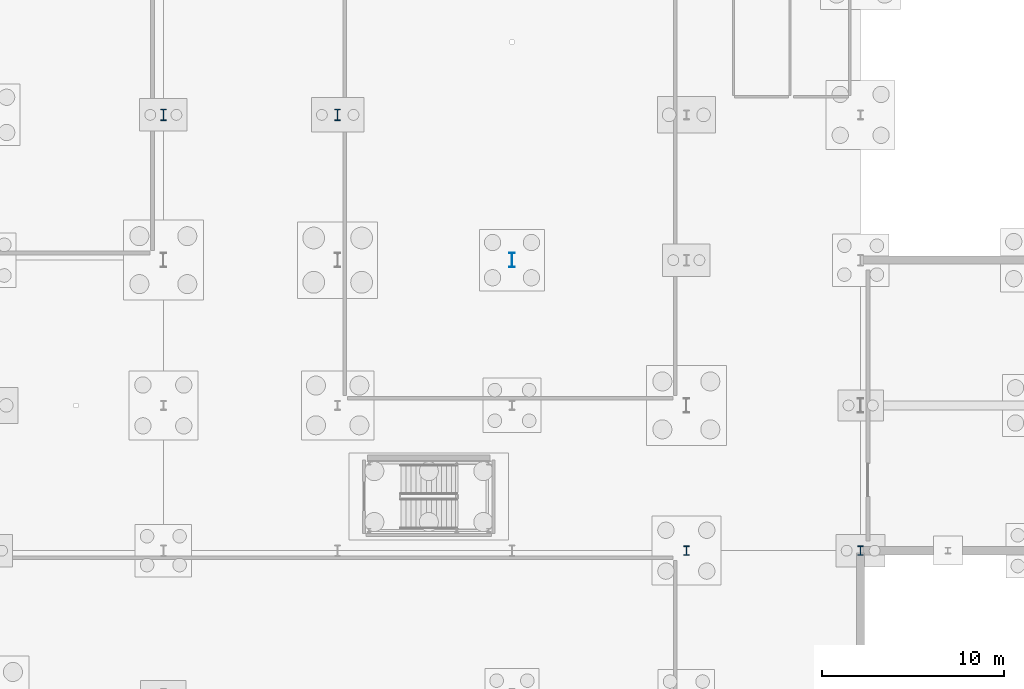
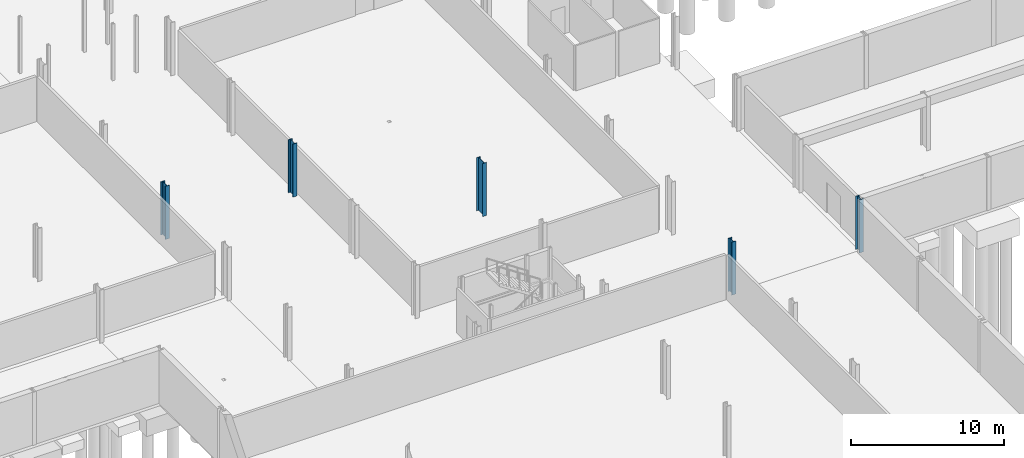
# One storey, part 14 of 47: 5 columns.
"""IFC4 building model written with IfcOpenShell, lengths in metres."""

from ifc_helpers import new_model, si_unit, direction, frame, origin, origin_2d, place, context, subcontext, project, spatial, i_section, extrude, material, material_profile, profile_set, type_object, element, save


model = new_model("IFC4")

# Units and contexts
model_context = context("Model", 3, precision=1e-05, world=origin(), true_north=direction((0.0, 1.0)))
body_context = subcontext(model_context, "Body", "Model", "MODEL_VIEW")
ifc_project = project(units=[si_unit("LENGTHUNIT", "METRE"), si_unit("AREAUNIT", "SQUARE_METRE"), si_unit("VOLUMEUNIT", "CUBIC_METRE"), si_unit("PLANEANGLEUNIT", "RADIAN"), si_unit("MASSUNIT", "GRAM", prefix="KILO")], contexts=[model_context])

# Site, building, storey
site_placement = place(None, origin())
site = spatial("IfcSite", under=ifc_project, at=site_placement, CompositionType="ELEMENT")
building_placement = place(site_placement, origin())
building = spatial("IfcBuilding", under=site, at=building_placement, Name="Alderhovde Museum", CompositionType="ELEMENT")
storey_placement = place(building_placement, frame((0.0, 0.0, -4.5)))
storey = spatial("IfcBuildingStorey", under=building, at=storey_placement, Name="B1", CompositionType="ELEMENT", Elevation=-4.5)

# Columns
ifc_material_1 = material(Name="Steel S355J2", Category="steel")
ifc_material_profile_1 = material_profile(ifc_material_1, i_section(OverallWidth=0.300048828125, OverallDepth=0.800048828125, WebThickness=0.017578125, FlangeThickness=0.032958984375, FilletRadius=0.030029296875, at=origin_2d()), Name="HEB 800")
ifc_profile_set_1 = profile_set([ifc_material_profile_1], Name="Steel S355J2")
column_type_1 = type_object("IfcColumnType", Name="COL-HEB800", PredefinedType="COLUMN", material=ifc_profile_set_1)
column_placement = place(storey_placement, frame((96.0, 48.0, 0.0), z_axis=(0.0, 0.0, 1.0), x_axis=(1.0, 0.0, 0.0)))
element("IfcColumn", 1, at=column_placement, inside=storey, type_object=column_type_1, Name="B1 Column (96.0, 48.0)", PredefinedType="COLUMN", context=body_context, shape_type="SweptSolid", body=[
    extrude(i_section(OverallWidth=0.300048828125, OverallDepth=0.800048828125, WebThickness=0.017578125, FlangeThickness=0.032958984375, FilletRadius=0.030029296875, at=origin_2d()), origin(), (0.0, 0.0, 1.0), 4.219970703125),
])
ifc_material_2 = material(Name="Steel S355J2", Category="steel")
ifc_material_profile_2 = material_profile(ifc_material_2, i_section(OverallWidth=0.305908203125, OverallDepth=0.52392578125, WebThickness=0.02099609375, FlangeThickness=0.0400390625, FilletRadius=0.027099609375, at=origin_2d()), Name="HEM 500")
ifc_profile_set_2 = profile_set([ifc_material_profile_2], Name="Steel S355J2")
column_type_2 = type_object("IfcColumnType", Name="COL-HEM500", PredefinedType="COLUMN", material=ifc_profile_set_2)
for number, where, z_axis, x_axis, name in (
    (2, (105.60009765625, 32.0, 0.0), (0.0, 0.0, 1.0), (1.0, 0.0, 0.0), "B1 Column (105.6, 32.0)"),
    (3, (115.199951171875, 32.0, 0.0), (0.0, 0.0, 1.0), (1.0, 0.0, 0.0), "B1 Column (115.2, 32.0)"),
):
    element("IfcColumn", number, at=place(storey_placement, frame(where, z_axis=z_axis, x_axis=x_axis)), inside=storey, type_object=column_type_2, Name=name, PredefinedType="COLUMN", context=body_context, shape_type="SweptSolid", body=[
        extrude(i_section(OverallWidth=0.305908203125, OverallDepth=0.52392578125, WebThickness=0.02099609375, FlangeThickness=0.0400390625, FilletRadius=0.027099609375, at=origin_2d()), origin(), (0.0, 0.0, 1.0), 4.219970703125),
    ])
ifc_material_3 = material(Name="Steel S355J2", Category="steel")
ifc_material_profile_3 = material_profile(ifc_material_3, i_section(OverallWidth=0.304931640625, OverallDepth=0.6201171875, WebThickness=0.02099609375, FlangeThickness=0.0400390625, FilletRadius=0.027099609375, at=origin_2d()), Name="HEM 600")
ifc_profile_set_3 = profile_set([ifc_material_profile_3], Name="Steel S355J2")
column_type_3 = type_object("IfcColumnType", Name="COL-HEM600", PredefinedType="COLUMN", material=ifc_profile_set_3)
for number, where, z_axis, x_axis, name in (
    (4, (76.800048828125, 56.0, 0.0), (0.0, 0.0, 1.0), (1.0, 0.0, 0.0), "B1 Column (76.8, 56.0)"),
    (5, (86.39990234375, 56.0, 0.0), (0.0, 0.0, 1.0), (1.0, 0.0, 0.0), "B1 Column (86.4, 56.0)"),
):
    element("IfcColumn", number, at=place(storey_placement, frame(where, z_axis=z_axis, x_axis=x_axis)), inside=storey, type_object=column_type_3, Name=name, PredefinedType="COLUMN", context=body_context, shape_type="SweptSolid", body=[
        extrude(i_section(OverallWidth=0.304931640625, OverallDepth=0.6201171875, WebThickness=0.02099609375, FlangeThickness=0.0400390625, FilletRadius=0.027099609375, at=origin_2d()), origin(), (0.0, 0.0, 1.0), 4.219970703125),
    ])

save(model, "model.ifc")
